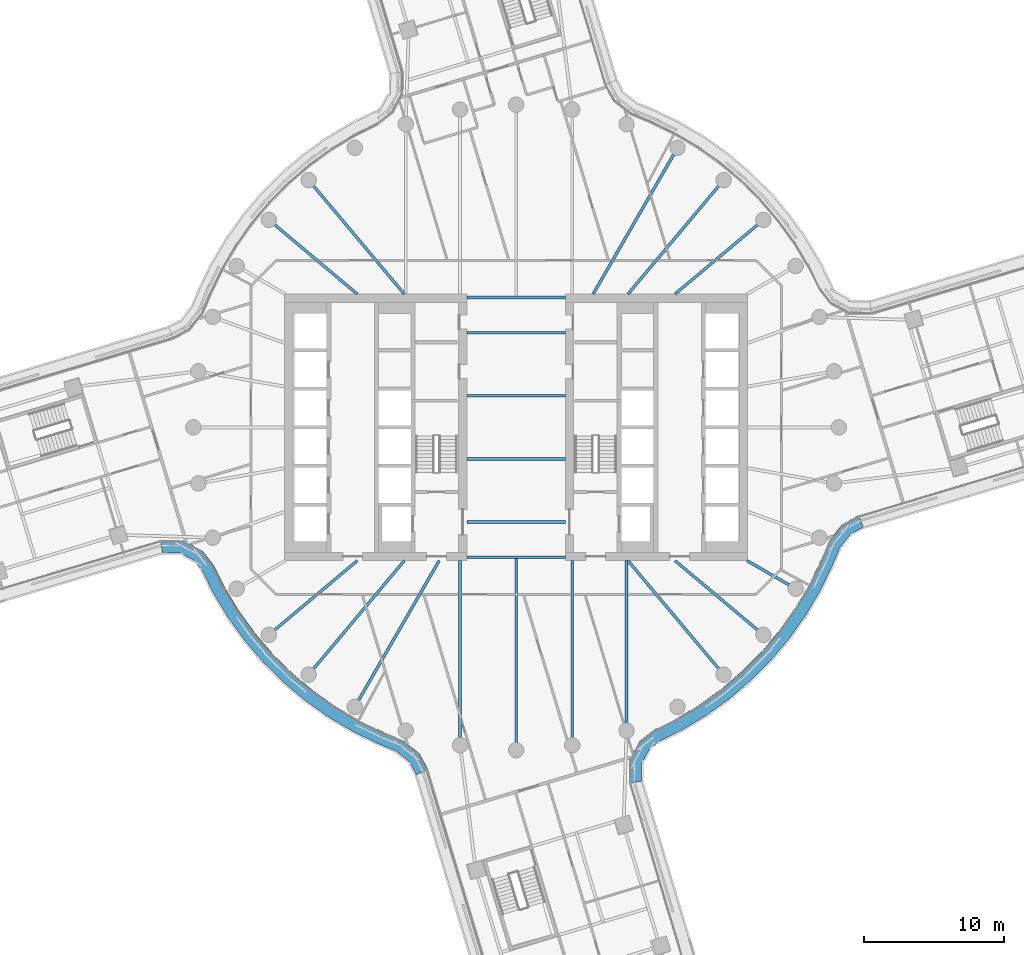
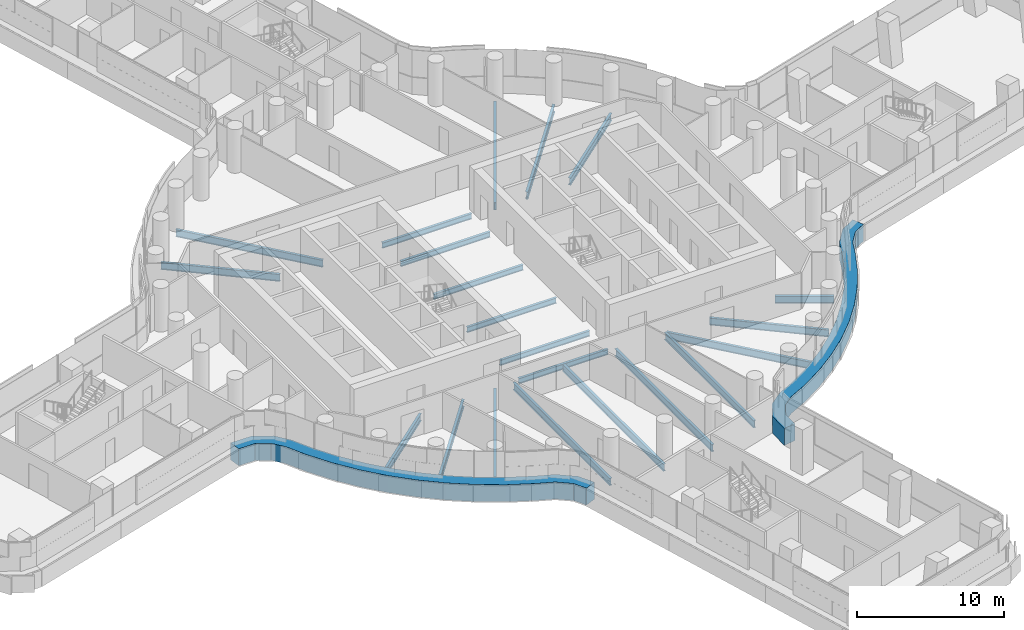
# One storey, part 8 of 32: 21 beams, 2 members, 2 elements without a shape of their own.
"""IFC4 building model written with IfcOpenShell, lengths in metres."""

from ifc_helpers import new_model, si_unit, direction, frame, origin, origin_2d, place, context, subcontext, project, spatial, polyline, i_section, outline, extrude, material, layer, layer_set, material_profile, profile_set, type_object, element, aggregate, save


model = new_model("IFC4")

# Units and contexts
model_context = context("Model", 3, precision=1e-05, world=origin(), true_north=direction((0.0, 1.0)))
body_context = subcontext(model_context, "Body", "Model", "MODEL_VIEW")
ifc_project = project(units=[si_unit("LENGTHUNIT", "METRE"), si_unit("AREAUNIT", "SQUARE_METRE"), si_unit("VOLUMEUNIT", "CUBIC_METRE"), si_unit("PLANEANGLEUNIT", "RADIAN"), si_unit("MASSUNIT", "GRAM", prefix="KILO")], contexts=[model_context])

# Site, building, storey
site_placement = place(None, origin())
site = spatial("IfcSite", under=ifc_project, at=site_placement, CompositionType="ELEMENT")
building_placement = place(site_placement, origin())
building = spatial("IfcBuilding", under=site, at=building_placement, Name="Tamarind Cross Interchange Tower", CompositionType="ELEMENT")
storey_placement = place(building_placement, frame((0.0, 0.0, 94.75)))
storey = spatial("IfcBuildingStorey", under=building, at=storey_placement, Name="L22", CompositionType="ELEMENT", Elevation=94.75)

# Beams
ifc_material_1 = material(Name="Steel Q355B", Category="steel")
ifc_material_profile_1 = material_profile(ifc_material_1, i_section(OverallWidth=0.198974609375, OverallDepth=0.446044921875, WebThickness=0.008056640625, FlangeThickness=0.011962890625, FilletRadius=0.012939453125, at=origin_2d()), Name="HN 446x199x8x12")
ifc_profile_set_1 = profile_set([ifc_material_profile_1], Name="Steel Q355B")
beam_type_1 = type_object("IfcBeamType", Name="Composite beam HN 446x199x8x12 Q355B", PredefinedType="BEAM", material=ifc_profile_set_1)
for number, where, z_axis, x_axis, name in (
    (1, (-3.5, -2.25, -0.363037109375), (1.0, 0.0, 0.0), (0.0, 1.0, 0.0), "Beam G-2.25"),
    (2, (-3.5, -6.75, -0.363037109375), (1.0, 0.0, 0.0), (0.0, 1.0, 0.0), "Beam G-6.75"),
    (3, (-3.5, -9.25, -0.363037109375), (1.0, 0.0, 0.0), (0.0, 1.0, 0.0), "Beam G-9.25"),
    (4, (-3.5, 2.25, -0.363037109375), (1.0, 0.0, 0.0), (0.0, 1.0, 0.0), "Beam G2.25"),
    (5, (-3.5, 6.75, -0.363037109375), (1.0, 0.0, 0.0), (0.0, 1.0, 0.0), "Beam G6.75"),
    (6, (-3.5, 9.25, -0.363037109375), (1.0, 0.0, 0.0), (0.0, 1.0, 0.0), "Beam G9.25"),
):
    element("IfcBeam", number, at=place(storey_placement, frame(where, z_axis=z_axis, x_axis=x_axis)), inside=storey, type_object=beam_type_1, Name=name, PredefinedType="BEAM", context=body_context, shape_type="SweptSolid", body=[
        extrude(i_section(OverallWidth=0.198974609375, OverallDepth=0.446044921875, WebThickness=0.008056640625, FlangeThickness=0.011962890625, FilletRadius=0.012939453125, at=origin_2d()), origin(), (0.0, 0.0, 1.0), 7.0),
    ])
ifc_material_profile_2 = material_profile(ifc_material_1, i_section(OverallWidth=0.198974609375, OverallDepth=0.595947265625, WebThickness=0.010009765625, FlangeThickness=0.014892578125, FilletRadius=0.012939453125, at=origin_2d()), Name="HN 596x199x10x15")
ifc_profile_set_2 = profile_set([ifc_material_profile_2], Name="Steel Q355B")
beam_type_2 = type_object("IfcBeamType", Name="Composite beam HN 596x199x10x15 Q355B", PredefinedType="BEAM", material=ifc_profile_set_2)
beam_1_placement = place(storey_placement, frame((17.619140625, 14.7841796875, -0.43798828125), z_axis=(-0.766040580814, -0.642792212574, 0.0), x_axis=(0.642792212574, -0.766040580814, 0.0)))
element("IfcBeam", 7, at=beam_1_placement, inside=storey, type_object=beam_type_2, Name="Beam HH04", PredefinedType="BEAM", context=body_context, shape_type="SweptSolid", body=[
    extrude(i_section(OverallWidth=0.198974609375, OverallDepth=0.595947265625, WebThickness=0.010009765625, FlangeThickness=0.014892578125, FilletRadius=0.012939453125, at=origin_2d()), origin(), (0.0, 0.0, 1.0), 8.220703125),
])
beam_2_placement = place(storey_placement, frame((14.7841796875, 17.619140625, -0.43798828125), z_axis=(-0.642786293979, -0.766045547127, 0.0), x_axis=(0.766045547127, -0.642786293979, 0.0)))
element("IfcBeam", 8, at=beam_2_placement, inside=storey, type_object=beam_type_2, Name="Beam HH05", PredefinedType="BEAM", context=body_context, shape_type="SweptSolid", body=[
    extrude(i_section(OverallWidth=0.198974609375, OverallDepth=0.595947265625, WebThickness=0.010009765625, FlangeThickness=0.014892578125, FilletRadius=0.012939453125, at=origin_2d()), origin(), (0.0, 0.0, 1.0), 10.598876953125),
])
beam_3_placement = place(storey_placement, frame((11.5, 19.918701171875, -0.43798828125), z_axis=(-0.499993565836, -0.866029118519, 0.0), x_axis=(0.866029118519, -0.499993565836, 0.0)))
element("IfcBeam", 9, at=beam_3_placement, inside=storey, type_object=beam_type_2, Name="Beam HH06", PredefinedType="BEAM", context=body_context, shape_type="SweptSolid", body=[
    extrude(i_section(OverallWidth=0.198974609375, OverallDepth=0.595947265625, WebThickness=0.010009765625, FlangeThickness=0.014892578125, FilletRadius=0.012939453125, at=origin_2d()), origin(), (0.0, 0.0, 1.0), 12.030517578125),
])
beam_4_placement = place(storey_placement, frame((-14.7841796875, 17.619140625, -0.43798828125), z_axis=(0.642786293979, -0.766045547127, 0.0), x_axis=(0.766045547127, 0.642786293979, 0.0)))
element("IfcBeam", 10, at=beam_4_placement, inside=storey, type_object=beam_type_2, Name="Beam HH13", PredefinedType="BEAM", context=body_context, shape_type="SweptSolid", body=[
    extrude(i_section(OverallWidth=0.198974609375, OverallDepth=0.595947265625, WebThickness=0.010009765625, FlangeThickness=0.014892578125, FilletRadius=0.012939453125, at=origin_2d()), origin(), (0.0, 0.0, 1.0), 10.598876953125),
])
for number, where, z_axis, x_axis, name in (
    (11, (-17.619140625, 14.7841796875, -0.43798828125), (0.766040580814, -0.642792212574, 0.0), (0.642792212574, 0.766040580814, 0.0), "Beam HH14"),
    (12, (-17.619140625, -14.7841796875, -0.43798828125), (0.766040580814, 0.642792212574, 0.0), (-0.642792212574, 0.766040580814, 0.0), "Beam HH22"),
):
    element("IfcBeam", number, at=place(storey_placement, frame(where, z_axis=z_axis, x_axis=x_axis)), inside=storey, type_object=beam_type_2, Name=name, PredefinedType="BEAM", context=body_context, shape_type="SweptSolid", body=[
        extrude(i_section(OverallWidth=0.198974609375, OverallDepth=0.595947265625, WebThickness=0.010009765625, FlangeThickness=0.014892578125, FilletRadius=0.012939453125, at=origin_2d()), origin(), (0.0, 0.0, 1.0), 8.220703125),
    ])
beam_5_placement = place(storey_placement, frame((-14.7841796875, -17.619140625, -0.43798828125), z_axis=(0.642786293979, 0.766045547127, 0.0), x_axis=(-0.766045547127, 0.642786293979, 0.0)))
element("IfcBeam", 13, at=beam_5_placement, inside=storey, type_object=beam_type_2, Name="Beam HH23", PredefinedType="BEAM", context=body_context, shape_type="SweptSolid", body=[
    extrude(i_section(OverallWidth=0.198974609375, OverallDepth=0.595947265625, WebThickness=0.010009765625, FlangeThickness=0.014892578125, FilletRadius=0.012939453125, at=origin_2d()), origin(), (0.0, 0.0, 1.0), 10.598876953125),
])
beam_6_placement = place(storey_placement, frame((-11.5, -19.918701171875, -0.43798828125), z_axis=(0.499993565836, 0.866029118519, 0.0), x_axis=(-0.866029118519, 0.499993565836, 0.0)))
element("IfcBeam", 14, at=beam_6_placement, inside=storey, type_object=beam_type_2, Name="Beam HH24", PredefinedType="BEAM", context=body_context, shape_type="SweptSolid", body=[
    extrude(i_section(OverallWidth=0.198974609375, OverallDepth=0.595947265625, WebThickness=0.010009765625, FlangeThickness=0.014892578125, FilletRadius=0.012939453125, at=origin_2d()), origin(), (0.0, 0.0, 1.0), 12.030517578125),
])
beam_7_placement = place(storey_placement, frame((-3.993896484375, -22.650634765625, -0.43798828125), z_axis=(0.0, 1.0, 0.0), x_axis=(-1.0, 0.0, 0.0)))
element("IfcBeam", 15, at=beam_7_placement, inside=storey, type_object=beam_type_2, Name="Beam HH26", PredefinedType="BEAM", context=body_context, shape_type="SweptSolid", body=[
    extrude(i_section(OverallWidth=0.198974609375, OverallDepth=0.595947265625, WebThickness=0.010009765625, FlangeThickness=0.014892578125, FilletRadius=0.012939453125, at=origin_2d()), origin(), (0.0, 0.0, 1.0), 13.150634765625),
])
beam_8_placement = place(storey_placement, frame((0.0, -23.0, -0.43798828125), z_axis=(0.0, 1.0, 0.0), x_axis=(-1.0, 0.0, 0.0)))
element("IfcBeam", 16, at=beam_8_placement, inside=storey, type_object=beam_type_2, Name="Beam HH27", PredefinedType="BEAM", context=body_context, shape_type="SweptSolid", body=[
    extrude(i_section(OverallWidth=0.198974609375, OverallDepth=0.595947265625, WebThickness=0.010009765625, FlangeThickness=0.014892578125, FilletRadius=0.012939453125, at=origin_2d()), origin(), (0.0, 0.0, 1.0), 13.75),
])
beam_9_placement = place(storey_placement, frame((3.993896484375, -22.650634765625, -0.43798828125), z_axis=(0.0, 1.0, 0.0), x_axis=(-1.0, 0.0, 0.0)))
element("IfcBeam", 17, at=beam_9_placement, inside=storey, type_object=beam_type_2, Name="Beam HH28", PredefinedType="BEAM", context=body_context, shape_type="SweptSolid", body=[
    extrude(i_section(OverallWidth=0.198974609375, OverallDepth=0.595947265625, WebThickness=0.010009765625, FlangeThickness=0.014892578125, FilletRadius=0.012939453125, at=origin_2d()), origin(), (0.0, 0.0, 1.0), 13.150634765625),
])
beam_10_placement = place(storey_placement, frame((7.866455078125, -21.613037109375, -0.43798828125), z_axis=(0.0, 1.0, 0.0), x_axis=(-1.0, 0.0, 0.0)))
element("IfcBeam", 18, at=beam_10_placement, inside=storey, type_object=beam_type_2, Name="Beam HH29", PredefinedType="BEAM", context=body_context, shape_type="SweptSolid", body=[
    extrude(i_section(OverallWidth=0.198974609375, OverallDepth=0.595947265625, WebThickness=0.010009765625, FlangeThickness=0.014892578125, FilletRadius=0.012939453125, at=origin_2d()), origin(), (0.0, 0.0, 1.0), 12.113037109375),
])
beam_11_placement = place(storey_placement, frame((14.7841796875, -17.619140625, -0.43798828125), z_axis=(-0.642786293979, 0.766045547127, 0.0), x_axis=(-0.766045547127, -0.642786293979, 0.0)))
element("IfcBeam", 19, at=beam_11_placement, inside=storey, type_object=beam_type_2, Name="Beam HH31", PredefinedType="BEAM", context=body_context, shape_type="SweptSolid", body=[
    extrude(i_section(OverallWidth=0.198974609375, OverallDepth=0.595947265625, WebThickness=0.010009765625, FlangeThickness=0.014892578125, FilletRadius=0.012939453125, at=origin_2d()), origin(), (0.0, 0.0, 1.0), 10.598876953125),
])
beam_12_placement = place(storey_placement, frame((17.619140625, -14.7841796875, -0.43798828125), z_axis=(-0.766040580814, 0.642792212574, 0.0), x_axis=(-0.642792212574, -0.766040580814, 0.0)))
element("IfcBeam", 20, at=beam_12_placement, inside=storey, type_object=beam_type_2, Name="Beam HH32", PredefinedType="BEAM", context=body_context, shape_type="SweptSolid", body=[
    extrude(i_section(OverallWidth=0.198974609375, OverallDepth=0.595947265625, WebThickness=0.010009765625, FlangeThickness=0.014892578125, FilletRadius=0.012939453125, at=origin_2d()), origin(), (0.0, 0.0, 1.0), 8.220703125),
])
beam_13_placement = place(storey_placement, frame((19.918701171875, -11.5, -0.43798828125), z_axis=(-0.866026010844, 0.49999894854, 0.0), x_axis=(-0.49999894854, -0.866026010844, 0.0)))
element("IfcBeam", 21, at=beam_13_placement, inside=storey, type_object=beam_type_2, Name="Beam HH33", PredefinedType="BEAM", context=body_context, shape_type="SweptSolid", body=[
    extrude(i_section(OverallWidth=0.198974609375, OverallDepth=0.595947265625, WebThickness=0.010009765625, FlangeThickness=0.014892578125, FilletRadius=0.012939453125, at=origin_2d()), origin(), (0.0, 0.0, 1.0), 4.0),
])

# Curtain wall, member
ifc_material_2 = material(Name="Aluminium 6063-T6", Category="aluminium")
ifc_layer = layer(ifc_material_2, 0.159912109375)
ifc_layer_set = layer_set([ifc_layer], Name="Aluminium 6063-T6")
curtain_wall_type = type_object("IfcCurtainWallType", Name="Office curtain wall, 9.0 m bays", PredefinedType="NOTDEFINED", material=ifc_layer_set)
curtain_wall_1_placement = place(storey_placement, origin())
curtain_wall_1 = element("IfcCurtainWall", 22, at=curtain_wall_1_placement, inside=storey, type_object=curtain_wall_type, Name="CWS-L22-06", PredefinedType="NOTDEFINED")
ifc_material_3 = material(Name="Aluminium and insulated spandrel panel", Category="aluminium")
member_type = type_object("IfcMemberType", Name="Floor-edge blade transom", PredefinedType="USERDEFINED", material=ifc_material_3)
member_1_placement = place(storey_placement, origin())
member_1 = element("IfcMember", 23, at=member_1_placement, type_object=member_type, Name="CWT-L22-06", ObjectType="TRANSOM", PredefinedType="USERDEFINED", context=body_context, shape_type="SweptSolid", body=[
    extrude(outline(polyline([(-25.339111328125, -8.027099609375), (-23.72900390625, -8.05029296875), (-22.3974609375, -8.760498046875), (-21.550048828125, -9.83447265625), (-20.791015625, -11.367431640625), (-19.78125, -13.045654296875), (-18.636474609375, -14.634521484375), (-17.3642578125, -16.12353515625), (-15.973388671875, -17.50244140625), (-14.4736328125, -18.76171875), (-12.874755859375, -19.892822265625), (-11.188232421875, -20.88818359375), (-9.421875, -21.7421875), (-8.1220703125, -22.27734375), (-6.907470703125, -23.235595703125), (-6.27490234375, -24.3994140625), (-7.110107421875, -24.747314453125), (-7.610107421875, -23.82763671875), (-8.580810546875, -23.061767578125), (-9.78955078125, -22.564208984375), (-11.613525390625, -21.68212890625), (-13.3642578125, -20.64892578125), (-15.023681640625, -19.474853515625), (-16.580810546875, -18.167724609375), (-18.0244140625, -16.736572265625), (-19.344970703125, -15.19091796875), (-20.533203125, -13.54150390625), (-21.581298828125, -11.7998046875), (-22.31494140625, -10.318115234375), (-22.987060546875, -9.4658203125), (-23.9599609375, -8.947021484375), (-25.2138671875, -8.928955078125), (-25.339111328125, -8.027099609375)])), origin(), (0.0, 0.0, 1.0), 1.39990234375),
])
aggregate(curtain_wall_1, [member_1])

curtain_wall_2_placement = place(storey_placement, origin())
curtain_wall_2 = element("IfcCurtainWall", 24, at=curtain_wall_2_placement, inside=storey, type_object=curtain_wall_type, Name="CWS-L22-10", PredefinedType="NOTDEFINED")
member_2_placement = place(storey_placement, origin())
member_2 = element("IfcMember", 25, at=member_2_placement, type_object=member_type, Name="CWT-L22-10", ObjectType="TRANSOM", PredefinedType="USERDEFINED", context=body_context, shape_type="SweptSolid", body=[
    extrude(outline(polyline([(8.027099609375, -25.339111328125), (8.05029296875, -23.72900390625), (8.760498046875, -22.3974609375), (9.83447265625, -21.550048828125), (11.367431640625, -20.791015625), (13.045654296875, -19.78125), (14.634521484375, -18.636474609375), (16.12353515625, -17.3642578125), (17.50244140625, -15.973388671875), (18.76171875, -14.4736328125), (19.892822265625, -12.874755859375), (20.88818359375, -11.188232421875), (21.7421875, -9.421875), (22.27734375, -8.1220703125), (23.235595703125, -6.907470703125), (24.3994140625, -6.27490234375), (24.747314453125, -7.110107421875), (23.82763671875, -7.610107421875), (23.061767578125, -8.580810546875), (22.564208984375, -9.78955078125), (21.68212890625, -11.613525390625), (20.64892578125, -13.3642578125), (19.474853515625, -15.023681640625), (18.167724609375, -16.580810546875), (16.736572265625, -18.0244140625), (15.19091796875, -19.344970703125), (13.54150390625, -20.533203125), (11.7998046875, -21.581298828125), (10.318115234375, -22.31494140625), (9.4658203125, -22.987060546875), (8.947021484375, -23.9599609375), (8.928955078125, -25.2138671875), (8.027099609375, -25.339111328125)])), origin(), (0.0, 0.0, 1.0), 1.39990234375),
])
aggregate(curtain_wall_2, [member_2])

save(model, "model.ifc")
